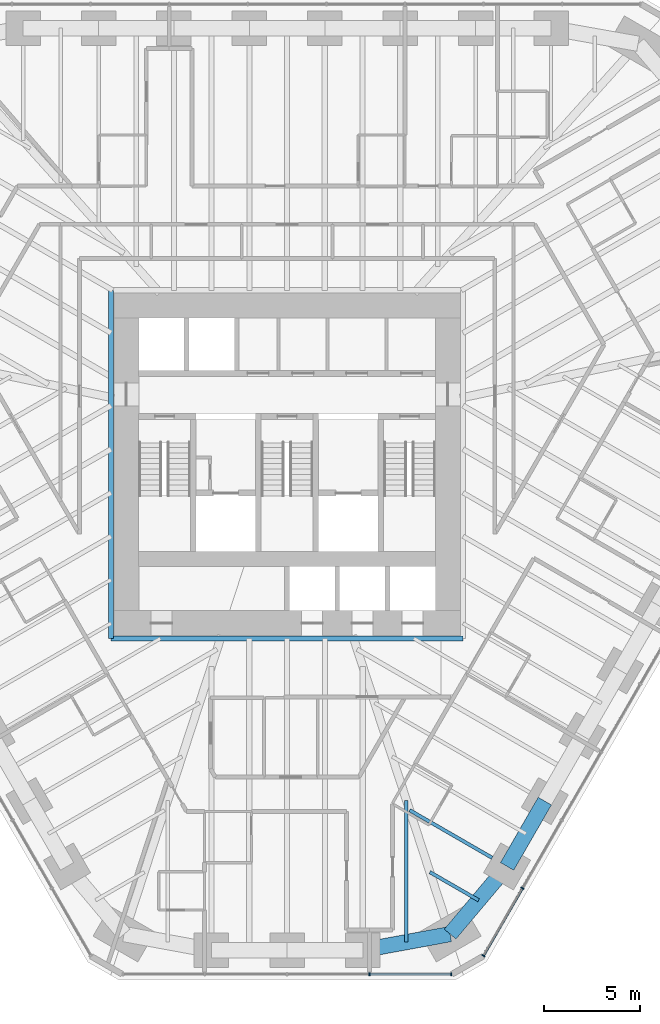
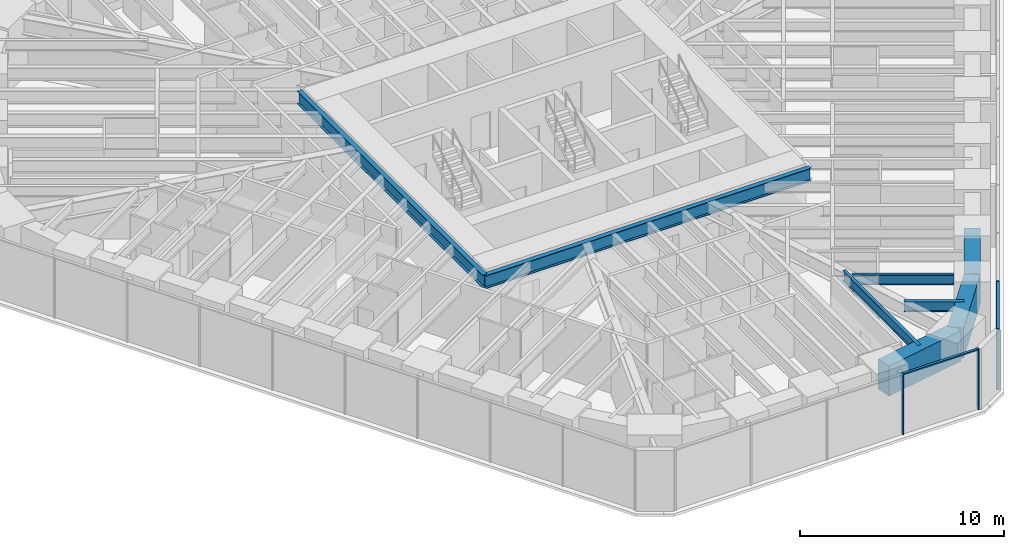
# One storey, part 4 of 17: 8 beams, 6 members, 2 elements without a shape of their own.
"""IFC4 building model written with IfcOpenShell, lengths in metres."""

from ifc_helpers import new_model, si_unit, direction, frame, origin, origin_2d, place, context, subcontext, project, spatial, rectangle, i_section, extrude, material, material_profile, profile_set, type_object, element, aggregate, save


model = new_model("IFC4")

# Units and contexts
model_context = context("Model", 3, precision=1e-05, world=origin(), true_north=direction((0.0, 1.0)))
body_context = subcontext(model_context, "Body", "Model", "MODEL_VIEW")
ifc_project = project(units=[si_unit("LENGTHUNIT", "METRE"), si_unit("AREAUNIT", "SQUARE_METRE"), si_unit("VOLUMEUNIT", "CUBIC_METRE"), si_unit("PLANEANGLEUNIT", "RADIAN"), si_unit("MASSUNIT", "GRAM", prefix="KILO")], contexts=[model_context])

# Site, building, storey
site_placement = place(None, origin())
site = spatial("IfcSite", under=ifc_project, at=site_placement, CompositionType="ELEMENT")
building_placement = place(site_placement, origin())
building = spatial("IfcBuilding", under=site, at=building_placement, Name="Sandreach Pilgrim Tower", CompositionType="ELEMENT")
storey_placement = place(building_placement, frame((0.0, 0.0, 112.0)))
storey = spatial("IfcBuildingStorey", under=building, at=storey_placement, Name="L27", CompositionType="ELEMENT", Elevation=112.0)

# Curtain wall, members
ifc_material_1 = material(Name="Aluminium framed curtain wall", Category="aluminium")
curtain_wall_type = type_object("IfcCurtainWallType", Name="Hotel tower curtain wall", PredefinedType="NOTDEFINED", material=ifc_material_1)
curtain_wall_1_placement = place(storey_placement, origin())
curtain_wall_1 = element("IfcCurtainWall", 1, at=curtain_wall_1_placement, inside=storey, type_object=curtain_wall_type, Name="CW-2 L27 SE", PredefinedType="NOTDEFINED")
ifc_material_2 = material(Name="Aluminium extrusion", Category="aluminium")
ifc_material_profile_1 = material_profile(ifc_material_2, rectangle(XDim=0.06494140625, YDim=0.179931640625, at=origin_2d()), Name="CW-2M 65X180")
ifc_profile_set_1 = profile_set([ifc_material_profile_1], Name="Aluminium extrusion")
member_type_1 = type_object("IfcMemberType", Name="CW-2 mullion", PredefinedType="MULLION", material=ifc_profile_set_1)
member_1_placement = place(storey_placement, frame((12.29296875, -23.695556640625, 0.0), z_axis=(0.0, 0.0, 1.0), x_axis=(-0.5, -0.866025403784, 0.0)))
member_1 = element("IfcMember", 2, at=member_1_placement, type_object=member_type_1, Name="CW-2 mullion 9", PredefinedType="MULLION", context=body_context, shape_type="SweptSolid", body=[
    extrude(rectangle(XDim=0.06494140625, YDim=0.179931640625, at=origin_2d()), origin(), (0.0, 0.0, 1.0), 3.639892578125),
])
member_2_placement = place(storey_placement, frame((10.255859375, -27.22412109375, 0.0), z_axis=(0.0, 0.0, 1.0), x_axis=(-0.5, -0.866025403784, 0.0)))
member_2 = element("IfcMember", 3, at=member_2_placement, type_object=member_type_1, Name="CW-2 mullion 10", PredefinedType="MULLION", context=body_context, shape_type="SweptSolid", body=[
    extrude(rectangle(XDim=0.06494140625, YDim=0.179931640625, at=origin_2d()), origin(), (0.0, 0.0, 1.0), 3.639892578125),
])

curtain_wall_2_placement = place(storey_placement, origin())
curtain_wall_2 = element("IfcCurtainWall", 4, at=curtain_wall_2_placement, inside=storey, type_object=curtain_wall_type, Name="CW-2 L27 S", PredefinedType="NOTDEFINED")
member_3_placement = place(storey_placement, frame((8.578857421875, -28.192138671875, 0.0), z_axis=(0.0, 0.0, 1.0), x_axis=(-1.0, 0.0, 0.0)))
member_3 = element("IfcMember", 5, at=member_3_placement, type_object=member_type_1, Name="CW-2 mullion 1", PredefinedType="MULLION", context=body_context, shape_type="SweptSolid", body=[
    extrude(rectangle(XDim=0.06494140625, YDim=0.179931640625, at=origin_2d()), origin(), (0.0, 0.0, 1.0), 3.639892578125),
])
member_4_placement = place(storey_placement, frame((4.3056640625, -28.192138671875, 0.0), z_axis=(0.0, 0.0, 1.0), x_axis=(-1.0, 0.0, 0.0)))
member_4 = element("IfcMember", 6, at=member_4_placement, type_object=member_type_1, Name="CW-2 mullion 2", PredefinedType="MULLION", context=body_context, shape_type="SweptSolid", body=[
    extrude(rectangle(XDim=0.06494140625, YDim=0.179931640625, at=origin_2d()), origin(), (0.0, 0.0, 1.0), 3.639892578125),
])

# Member
ifc_material_3 = material(Name="Aluminium extrusion", Category="aluminium")
ifc_material_profile_2 = material_profile(ifc_material_3, rectangle(XDim=0.139892578125, YDim=0.070068359375, at=origin_2d()), Name="CW-2T 140X70")
ifc_profile_set_2 = profile_set([ifc_material_profile_2], Name="Aluminium extrusion")
member_type_2 = type_object("IfcMemberType", Name="CW-2 transom", PredefinedType="USERDEFINED", material=ifc_profile_set_2)
member_5_placement = place(storey_placement, frame((12.27685546875, -23.7236328125, 3.60498046875), z_axis=(-0.500015851672, -0.866016251624, 0.0), x_axis=(0.866016251624, -0.500015851672, 0.0)))
member_5 = element("IfcMember", 7, at=member_5_placement, type_object=member_type_2, Name="CW-2 head transom 9", ObjectType="TRANSOM", PredefinedType="USERDEFINED", context=body_context, shape_type="SweptSolid", body=[
    extrude(rectangle(XDim=0.139892578125, YDim=0.070068359375, at=origin_2d()), origin(), (0.0, 0.0, 1.0), 4.009521484375),
])

aggregate(curtain_wall_1, [member_1, member_2, member_5])

member_6_placement = place(storey_placement, frame((8.54638671875, -28.192138671875, 3.60498046875), z_axis=(-1.0, 0.0, 0.0), x_axis=(0.0, -1.0, 0.0)))
member_6 = element("IfcMember", 8, at=member_6_placement, type_object=member_type_2, Name="CW-2 head transom 1", ObjectType="TRANSOM", PredefinedType="USERDEFINED", context=body_context, shape_type="SweptSolid", body=[
    extrude(rectangle(XDim=0.139892578125, YDim=0.070068359375, at=origin_2d()), origin(), (0.0, 0.0, 1.0), 4.208251953125),
])

aggregate(curtain_wall_2, [member_3, member_4, member_6])

# Beams
ifc_material_4 = material(Name="Steel ASTM A992 Grade 50", Category="steel")
ifc_material_profile_3 = material_profile(ifc_material_4, i_section(OverallWidth=0.2666015625, OverallDepth=0.77978515625, WebThickness=0.0166015625, FlangeThickness=0.030029296875, at=origin_2d()), Name="W30X148")
ifc_profile_set_3 = profile_set([ifc_material_profile_3], Name="Steel ASTM A992 Grade 50")
beam_type_1 = type_object("IfcBeamType", Name="Core edge beam W30X148", PredefinedType="BEAM", material=ifc_profile_set_3)
beam_1_placement = place(storey_placement, frame((9.193359375, -10.643310546875, 3.25), z_axis=(-1.0, 0.0, 0.0), x_axis=(0.0, -1.0, 0.0)))
element("IfcBeam", 9, at=beam_1_placement, inside=storey, type_object=beam_type_1, Name="BM L27 CES", PredefinedType="BEAM", context=body_context, shape_type="SweptSolid", body=[
    extrude(i_section(OverallWidth=0.2666015625, OverallDepth=0.77978515625, WebThickness=0.0166015625, FlangeThickness=0.030029296875, at=origin_2d()), origin(), (0.0, 0.0, 1.0), 18.38671875),
])
beam_2_placement = place(storey_placement, frame((-9.193359375, -10.643310546875, 3.25), z_axis=(0.0, 1.0, 0.0), x_axis=(-1.0, 0.0, 0.0)))
element("IfcBeam", 10, at=beam_2_placement, inside=storey, type_object=beam_type_1, Name="BM L27 CEW", PredefinedType="BEAM", context=body_context, shape_type="SweptSolid", body=[
    extrude(i_section(OverallWidth=0.2666015625, OverallDepth=0.77978515625, WebThickness=0.0166015625, FlangeThickness=0.030029296875, at=origin_2d()), origin(), (0.0, 0.0, 1.0), 18.186767578125),
])
ifc_material_5 = material(Name="Steel ASTM A992 Grade 50", Category="steel")
ifc_material_profile_4 = material_profile(ifc_material_5, i_section(OverallWidth=0.1787109375, OverallDepth=0.60205078125, WebThickness=0.010986328125, FlangeThickness=0.014892578125, at=origin_2d()), Name="W24X62")
ifc_profile_set_4 = profile_set([ifc_material_profile_4], Name="Steel ASTM A992 Grade 50")
beam_type_2 = type_object("IfcBeamType", Name="Floor beam W24X62", PredefinedType="BEAM", material=ifc_profile_set_4)
beam_3_placement = place(storey_placement, frame((10.714599609375, -22.109130859375, 3.339111328125), z_axis=(-0.866024645457, 0.500001313459, 0.0), x_axis=(-0.500001313459, -0.866024645457, 0.0)))
element("IfcBeam", 11, at=beam_3_placement, inside=storey, type_object=beam_type_2, Name="BM L27 F21", PredefinedType="BEAM", context=body_context, shape_type="SweptSolid", body=[
    extrude(i_section(OverallWidth=0.1787109375, OverallDepth=0.60205078125, WebThickness=0.010986328125, FlangeThickness=0.014892578125, at=origin_2d()), origin(), (0.0, 0.0, 1.0), 4.9765625),
])
beam_4_placement = place(storey_placement, frame((10.006103515625, -24.326904296875, 3.339111328125), z_axis=(-0.866015396618, 0.500017332519, 0.0), x_axis=(-0.500017332519, -0.866015396618, 0.0)))
element("IfcBeam", 12, at=beam_4_placement, inside=storey, type_object=beam_type_2, Name="BM L27 FM21", PredefinedType="BEAM", context=body_context, shape_type="SweptSolid", body=[
    extrude(i_section(OverallWidth=0.1787109375, OverallDepth=0.60205078125, WebThickness=0.010986328125, FlangeThickness=0.014892578125, at=origin_2d()), origin(), (0.0, 0.0, 1.0), 2.9384765625),
])
beam_5_placement = place(storey_placement, frame((6.236572265625, -26.51318359375, 3.339111328125), z_axis=(0.0, 1.0, 0.0), x_axis=(-1.0, 0.0, 0.0)))
element("IfcBeam", 13, at=beam_5_placement, inside=storey, type_object=beam_type_2, Name="BM L27 FM22", PredefinedType="BEAM", context=body_context, shape_type="SweptSolid", body=[
    extrude(i_section(OverallWidth=0.1787109375, OverallDepth=0.60205078125, WebThickness=0.010986328125, FlangeThickness=0.014892578125, at=origin_2d()), origin(), (0.0, 0.0, 1.0), 7.40771484375),
])
ifc_material_6 = material(Name="Concrete 10000 psi", Category="concrete")
ifc_material_profile_5 = material_profile(ifc_material_6, rectangle(XDim=0.800048828125, YDim=1.800048828125, at=origin_2d()), Name="RC800X1800")
ifc_profile_set_5 = profile_set([ifc_material_profile_5], Name="Concrete 10000 psi")
beam_type_3 = type_object("IfcBeamType", Name="Spandrel beam RC800X1800", PredefinedType="SPANDREL", material=ifc_profile_set_5)
beam_6_placement = place(storey_placement, frame((13.464111328125, -19.147216796875, 2.739990234375), z_axis=(-0.49999779889, -0.866026674592, 0.0), x_axis=(0.866026674592, -0.49999779889, 0.0)))
element("IfcBeam", 14, at=beam_6_placement, inside=storey, type_object=beam_type_3, Name="BM L27 SP20", PredefinedType="SPANDREL", context=body_context, shape_type="SweptSolid", body=[
    extrude(rectangle(XDim=0.800048828125, YDim=1.800048828125, at=origin_2d()), origin(), (0.0, 0.0, 1.0), 3.93994140625),
])
beam_7_placement = place(storey_placement, frame((11.494140625, -22.559326171875, 2.739990234375), z_axis=(-0.644078801547, -0.764959147535, 0.0), x_axis=(0.764959147535, -0.644078801547, 0.0)))
element("IfcBeam", 15, at=beam_7_placement, inside=storey, type_object=beam_type_3, Name="BM L27 SP21", PredefinedType="SPANDREL", context=body_context, shape_type="SweptSolid", body=[
    extrude(rectangle(XDim=0.800048828125, YDim=1.800048828125, at=origin_2d()), origin(), (0.0, 0.0, 1.0), 4.62109375),
])
beam_8_placement = place(storey_placement, frame((8.517822265625, -26.09423828125, 2.739990234375), z_axis=(-0.983551746136, -0.180626583516, 0.0), x_axis=(0.180626583516, -0.983551746136, 0.0)))
element("IfcBeam", 16, at=beam_8_placement, inside=storey, type_object=beam_type_3, Name="BM L27 SP22", PredefinedType="SPANDREL", context=body_context, shape_type="SweptSolid", body=[
    extrude(rectangle(XDim=0.800048828125, YDim=1.800048828125, at=origin_2d()), origin(), (0.0, 0.0, 1.0), 4.638916015625),
])

save(model, "model.ifc")
